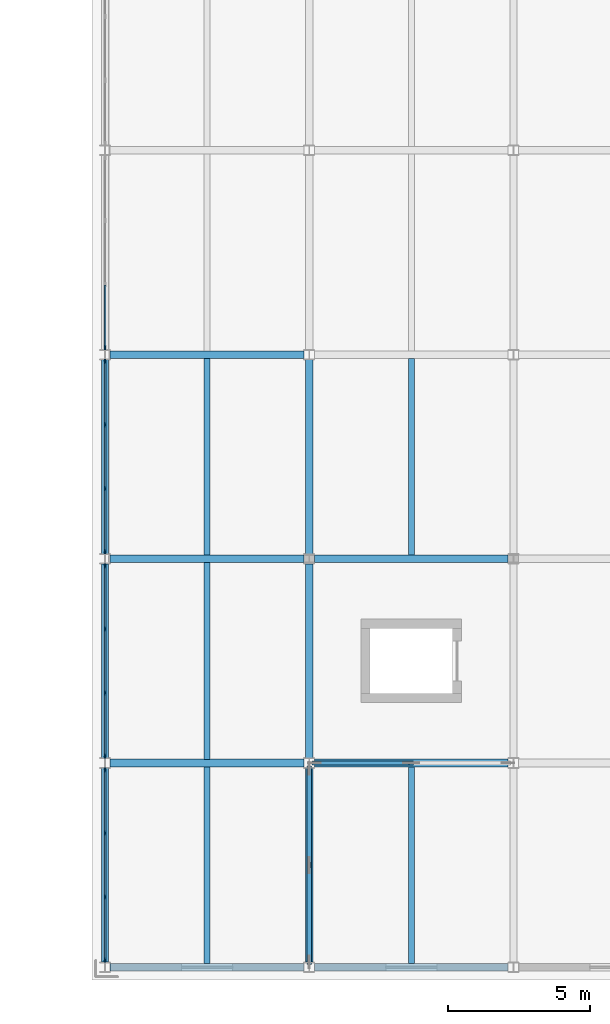
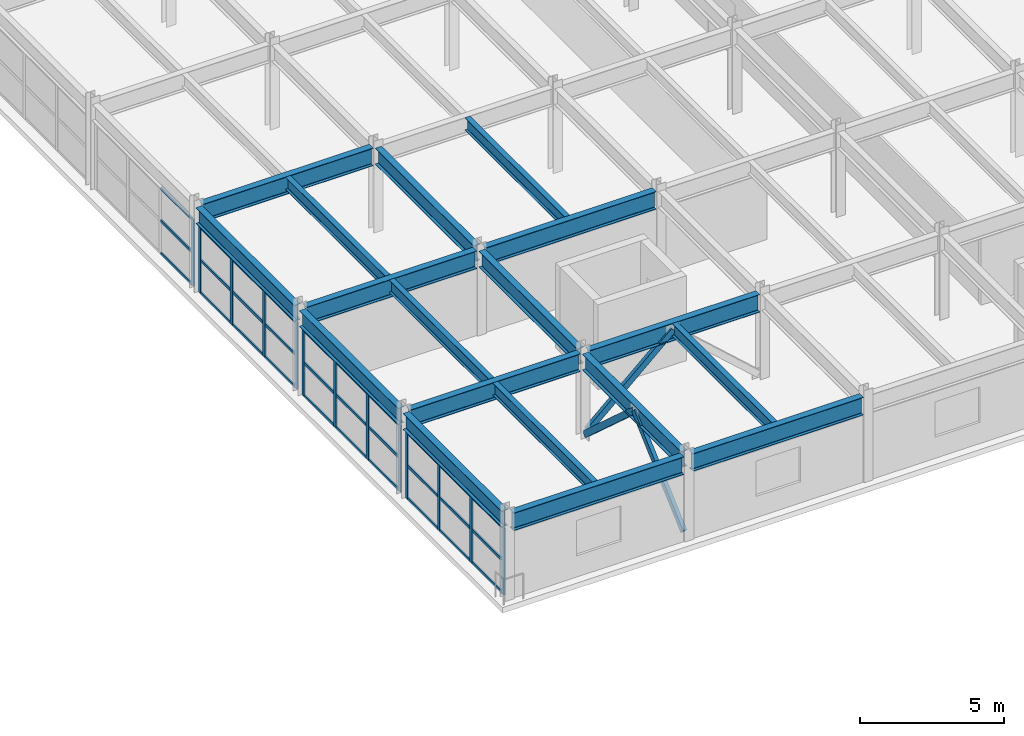
# One storey, part 23 of 80: 46 members, 18 beams, 4 elements without a shape of their own.
"""IFC4 building model written with IfcOpenShell, lengths in metres."""

from ifc_helpers import new_model, si_unit, direction, frame, origin, origin_2d, place, context, subcontext, project, spatial, rectangle, hollow_rectangle, i_section, extrude, material, material_profile, profile_set, type_object, element, aggregate, save


model = new_model("IFC4")

# Units and contexts
model_context = context("Model", 3, precision=1e-05, world=origin(), true_north=direction((0.0, 1.0)))
body_context = subcontext(model_context, "Body", "Model", "MODEL_VIEW")
ifc_project = project(units=[si_unit("LENGTHUNIT", "METRE"), si_unit("AREAUNIT", "SQUARE_METRE"), si_unit("VOLUMEUNIT", "CUBIC_METRE"), si_unit("PLANEANGLEUNIT", "RADIAN"), si_unit("MASSUNIT", "GRAM", prefix="KILO")], contexts=[model_context])

# Site, building, storey
site_placement = place(None, origin())
site = spatial("IfcSite", under=ifc_project, at=site_placement, CompositionType="ELEMENT")
building_placement = place(site_placement, origin())
building = spatial("IfcBuilding", under=site, at=building_placement, Name="Vaelcorin Mobility Hub", CompositionType="ELEMENT")
storey_placement = place(building_placement, frame((0.0, 0.0, 9.300048828125)))
storey = spatial("IfcBuildingStorey", under=building, at=storey_placement, Name="L02", CompositionType="ELEMENT", Elevation=9.300048828125)

# Beams
ifc_material_1 = material(Name="Steel ASTM A992 Grade 50", Category="steel")
ifc_material_profile_1 = material_profile(ifc_material_1, i_section(OverallWidth=0.2099609375, OverallDepth=0.532958984375, WebThickness=0.01025390625, FlangeThickness=0.015625, FilletRadius=0.013916015625, at=origin_2d()), Name="W21X62")
ifc_profile_set_1 = profile_set([ifc_material_profile_1], Name="Steel ASTM A992 Grade 50")
beam_type_1 = type_object("IfcBeamType", Name="BM-W21X62", PredefinedType="JOIST", material=ifc_profile_set_1)
for number, where, z_axis, x_axis, name in (
    (1, (157.199951171875, 6.132080078125, 3.333984375), (0.0, 1.0, 0.0), (-1.0, 0.0, 0.0), "L02 Beam V5-L02-J-01-01-1"),
    (2, (157.199951171875, 13.33203125, 3.333984375), (0.0, 1.0, 0.0), (-1.0, 0.0, 0.0), "L02 Beam V5-L02-J-01-02-1"),
):
    element("IfcBeam", number, at=place(storey_placement, frame(where, z_axis=z_axis, x_axis=x_axis)), inside=storey, type_object=beam_type_1, Name=name, PredefinedType="JOIST", context=body_context, shape_type="SweptSolid", body=[
        extrude(i_section(OverallWidth=0.2099609375, OverallDepth=0.532958984375, WebThickness=0.01025390625, FlangeThickness=0.015625, FilletRadius=0.013916015625, at=origin_2d()), origin(), (0.0, 0.0, 1.0), 6.93603515625),
    ])
beam_1_placement = place(storey_placement, frame((157.199951171875, 20.531005859375, 3.333984375), z_axis=(0.0, 1.0, 0.0), x_axis=(-1.0, 0.0, 0.0)))
element("IfcBeam", 3, at=beam_1_placement, inside=storey, type_object=beam_type_1, Name="L02 Beam V5-L02-J-01-03-1", PredefinedType="JOIST", context=body_context, shape_type="SweptSolid", body=[
    extrude(i_section(OverallWidth=0.2099609375, OverallDepth=0.532958984375, WebThickness=0.01025390625, FlangeThickness=0.015625, FilletRadius=0.013916015625, at=origin_2d()), origin(), (0.0, 0.0, 1.0), 6.93798828125),
])
beam_2_placement = place(storey_placement, frame((164.39990234375, 6.132080078125, 3.333984375), z_axis=(0.0, 1.0, 0.0), x_axis=(-1.0, 0.0, 0.0)))
element("IfcBeam", 4, at=beam_2_placement, inside=storey, type_object=beam_type_1, Name="L02 Beam V5-L02-J-02-01-1", PredefinedType="JOIST", context=body_context, shape_type="SweptSolid", body=[
    extrude(i_section(OverallWidth=0.2099609375, OverallDepth=0.532958984375, WebThickness=0.01025390625, FlangeThickness=0.015625, FilletRadius=0.013916015625, at=origin_2d()), origin(), (0.0, 0.0, 1.0), 6.93603515625),
])
beam_3_placement = place(storey_placement, frame((164.39990234375, 20.531005859375, 3.333984375), z_axis=(0.0, 1.0, 0.0), x_axis=(-1.0, 0.0, 0.0)))
element("IfcBeam", 5, at=beam_3_placement, inside=storey, type_object=beam_type_1, Name="L02 Beam V5-L02-J-02-03-1", PredefinedType="JOIST", context=body_context, shape_type="SweptSolid", body=[
    extrude(i_section(OverallWidth=0.2099609375, OverallDepth=0.532958984375, WebThickness=0.01025390625, FlangeThickness=0.015625, FilletRadius=0.013916015625, at=origin_2d()), origin(), (0.0, 0.0, 1.0), 6.93798828125),
])
ifc_material_profile_2 = material_profile(ifc_material_1, i_section(OverallWidth=0.25390625, OverallDepth=0.68310546875, WebThickness=0.012451171875, FlangeThickness=0.018798828125, FilletRadius=0.01611328125, at=origin_2d()), Name="W27X94")
ifc_profile_set_2 = profile_set([ifc_material_profile_2], Name="Steel ASTM A992 Grade 50")
beam_type_2 = type_object("IfcBeamType", Name="BM-W27X94", PredefinedType="BEAM", material=ifc_profile_set_2)
beam_4_placement = place(storey_placement, frame((153.60009765625, 6.176025390625, 3.258056640625), z_axis=(0.0, 1.0, 0.0), x_axis=(-1.0, 0.0, 0.0)))
element("IfcBeam", 6, at=beam_4_placement, inside=storey, type_object=beam_type_2, Name="L02 Beam V5-L02-GY-01-01", PredefinedType="BEAM", context=body_context, shape_type="SweptSolid", body=[
    extrude(i_section(OverallWidth=0.25390625, OverallDepth=0.68310546875, WebThickness=0.012451171875, FlangeThickness=0.018798828125, FilletRadius=0.01611328125, at=origin_2d()), origin(), (0.0, 0.0, 1.0), 6.847900390625),
])
for number, where, z_axis, x_axis, name in (
    (7, (153.60009765625, 13.3759765625, 3.258056640625), (0.0, 1.0, 0.0), (-1.0, 0.0, 0.0), "L02 Beam V5-L02-GY-01-02"),
    (8, (153.60009765625, 20.575927734375, 3.258056640625), (0.0, 1.0, 0.0), (-1.0, 0.0, 0.0), "L02 Beam V5-L02-GY-01-03"),
):
    element("IfcBeam", number, at=place(storey_placement, frame(where, z_axis=z_axis, x_axis=x_axis)), inside=storey, type_object=beam_type_2, Name=name, PredefinedType="BEAM", context=body_context, shape_type="SweptSolid", body=[
        extrude(i_section(OverallWidth=0.25390625, OverallDepth=0.68310546875, WebThickness=0.012451171875, FlangeThickness=0.018798828125, FilletRadius=0.01611328125, at=origin_2d()), origin(), (0.0, 0.0, 1.0), 6.84814453125),
    ])
beam_5_placement = place(storey_placement, frame((160.800048828125, 6.176025390625, 3.258056640625), z_axis=(0.0, 1.0, 0.0), x_axis=(-1.0, 0.0, 0.0)))
element("IfcBeam", 9, at=beam_5_placement, inside=storey, type_object=beam_type_2, Name="L02 Beam V5-L02-GY-02-01", PredefinedType="BEAM", context=body_context, shape_type="SweptSolid", body=[
    extrude(i_section(OverallWidth=0.25390625, OverallDepth=0.68310546875, WebThickness=0.012451171875, FlangeThickness=0.018798828125, FilletRadius=0.01611328125, at=origin_2d()), origin(), (0.0, 0.0, 1.0), 6.847900390625),
])
for number, where, z_axis, x_axis, name in (
    (10, (160.800048828125, 13.3759765625, 3.258056640625), (0.0, 1.0, 0.0), (-1.0, 0.0, 0.0), "L02 Beam V5-L02-GY-02-02"),
    (11, (160.800048828125, 20.575927734375, 3.258056640625), (0.0, 1.0, 0.0), (-1.0, 0.0, 0.0), "L02 Beam V5-L02-GY-02-03"),
):
    element("IfcBeam", number, at=place(storey_placement, frame(where, z_axis=z_axis, x_axis=x_axis)), inside=storey, type_object=beam_type_2, Name=name, PredefinedType="BEAM", context=body_context, shape_type="SweptSolid", body=[
        extrude(i_section(OverallWidth=0.25390625, OverallDepth=0.68310546875, WebThickness=0.012451171875, FlangeThickness=0.018798828125, FilletRadius=0.01611328125, at=origin_2d()), origin(), (0.0, 0.0, 1.0), 6.84814453125),
    ])
ifc_material_profile_3 = material_profile(ifc_material_1, i_section(OverallWidth=0.26708984375, OverallDepth=0.757080078125, WebThickness=0.013916015625, FlangeThickness=0.019287109375, FilletRadius=0.01708984375, at=origin_2d()), Name="W30X108")
ifc_profile_set_3 = profile_set([ifc_material_profile_3], Name="Steel ASTM A992 Grade 50")
beam_type_3 = type_object("IfcBeamType", Name="BM-W30X108", PredefinedType="BEAM", material=ifc_profile_set_3)
beam_6_placement = place(storey_placement, frame((153.781982421875, 6.0, 3.221923828125), z_axis=(1.0, 0.0, 0.0), x_axis=(0.0, 1.0, 0.0)))
element("IfcBeam", 12, at=beam_6_placement, inside=storey, type_object=beam_type_3, Name="L02 Beam V5-L02-GX-01-01", PredefinedType="BEAM", context=body_context, shape_type="SweptSolid", body=[
    extrude(i_section(OverallWidth=0.26708984375, OverallDepth=0.757080078125, WebThickness=0.013916015625, FlangeThickness=0.019287109375, FilletRadius=0.01708984375, at=origin_2d()), origin(), (0.0, 0.0, 1.0), 6.8359375),
])
beam_7_placement = place(storey_placement, frame((160.98193359375, 6.0, 3.221923828125), z_axis=(1.0, 0.0, 0.0), x_axis=(0.0, 1.0, 0.0)))
element("IfcBeam", 13, at=beam_7_placement, inside=storey, type_object=beam_type_3, Name="L02 Beam V5-L02-GX-01-02", PredefinedType="BEAM", context=body_context, shape_type="SweptSolid", body=[
    extrude(i_section(OverallWidth=0.26708984375, OverallDepth=0.757080078125, WebThickness=0.013916015625, FlangeThickness=0.019287109375, FilletRadius=0.01708984375, at=origin_2d()), origin(), (0.0, 0.0, 1.0), 6.836181640625),
])
beam_8_placement = place(storey_placement, frame((153.781982421875, 13.199951171875, 3.221923828125), z_axis=(1.0, 0.0, 0.0), x_axis=(0.0, 1.0, 0.0)))
element("IfcBeam", 14, at=beam_8_placement, inside=storey, type_object=beam_type_3, Name="L02 Beam V5-L02-GX-02-01", PredefinedType="BEAM", context=body_context, shape_type="SweptSolid", body=[
    extrude(i_section(OverallWidth=0.26708984375, OverallDepth=0.757080078125, WebThickness=0.013916015625, FlangeThickness=0.019287109375, FilletRadius=0.01708984375, at=origin_2d()), origin(), (0.0, 0.0, 1.0), 6.8359375),
])
beam_9_placement = place(storey_placement, frame((160.98193359375, 13.199951171875, 3.221923828125), z_axis=(1.0, 0.0, 0.0), x_axis=(0.0, 1.0, 0.0)))
element("IfcBeam", 15, at=beam_9_placement, inside=storey, type_object=beam_type_3, Name="L02 Beam V5-L02-GX-02-02", PredefinedType="BEAM", context=body_context, shape_type="SweptSolid", body=[
    extrude(i_section(OverallWidth=0.26708984375, OverallDepth=0.757080078125, WebThickness=0.013916015625, FlangeThickness=0.019287109375, FilletRadius=0.01708984375, at=origin_2d()), origin(), (0.0, 0.0, 1.0), 6.836181640625),
])
beam_10_placement = place(storey_placement, frame((153.781982421875, 20.39990234375, 3.221923828125), z_axis=(1.0, 0.0, 0.0), x_axis=(0.0, 1.0, 0.0)))
element("IfcBeam", 16, at=beam_10_placement, inside=storey, type_object=beam_type_3, Name="L02 Beam V5-L02-GX-03-01", PredefinedType="BEAM", context=body_context, shape_type="SweptSolid", body=[
    extrude(i_section(OverallWidth=0.26708984375, OverallDepth=0.757080078125, WebThickness=0.013916015625, FlangeThickness=0.019287109375, FilletRadius=0.01708984375, at=origin_2d()), origin(), (0.0, 0.0, 1.0), 6.8359375),
])
beam_11_placement = place(storey_placement, frame((160.98193359375, 20.39990234375, 3.221923828125), z_axis=(1.0, 0.0, 0.0), x_axis=(0.0, 1.0, 0.0)))
element("IfcBeam", 17, at=beam_11_placement, inside=storey, type_object=beam_type_3, Name="L02 Beam V5-L02-GX-03-02", PredefinedType="BEAM", context=body_context, shape_type="SweptSolid", body=[
    extrude(i_section(OverallWidth=0.26708984375, OverallDepth=0.757080078125, WebThickness=0.013916015625, FlangeThickness=0.019287109375, FilletRadius=0.01708984375, at=origin_2d()), origin(), (0.0, 0.0, 1.0), 6.836181640625),
])
beam_12_placement = place(storey_placement, frame((153.781982421875, 27.60009765625, 3.221923828125), z_axis=(1.0, 0.0, 0.0), x_axis=(0.0, 1.0, 0.0)))
element("IfcBeam", 18, at=beam_12_placement, inside=storey, type_object=beam_type_3, Name="L02 Beam V5-L02-GX-04-01", PredefinedType="BEAM", context=body_context, shape_type="SweptSolid", body=[
    extrude(i_section(OverallWidth=0.26708984375, OverallDepth=0.757080078125, WebThickness=0.013916015625, FlangeThickness=0.019287109375, FilletRadius=0.01708984375, at=origin_2d()), origin(), (0.0, 0.0, 1.0), 6.8359375),
])

# Members
ifc_material_2 = material(Name="Steel ASTM A500 Grade C", Category="steel")
ifc_material_profile_4 = material_profile(ifc_material_2, hollow_rectangle(XDim=0.15234375, YDim=0.25390625, WallThickness=0.01171875, at=origin_2d()), Name="HSS10X6X0.500")
ifc_profile_set_4 = profile_set([ifc_material_profile_4], Name="Steel ASTM A500 Grade C")
member_type_1 = type_object("IfcMemberType", Name="BR-SCBF-10X6", PredefinedType="BRACE", material=ifc_profile_set_4)
member_1_placement = place(storey_placement, frame((160.989990234375, 13.199951171875, 0.179931640625), z_axis=(0.743169783144, 0.0, 0.669102887022), x_axis=(0.0, 1.0, 0.0)))
element("IfcMember", 19, at=member_1_placement, inside=storey, type_object=member_type_1, Name="SCBF Chevron Brace V5-BX1-L02-A", PredefinedType="BRACE", context=body_context, shape_type="SweptSolid", body=[
    extrude(hollow_rectangle(XDim=0.15234375, YDim=0.25390625, WallThickness=0.01171875, at=origin_2d()), origin(), (0.0, 0.0, 1.0), 4.58837890625),
])
member_2_placement = place(storey_placement, frame((160.800048828125, 6.18994140625, 0.179931640625), z_axis=(0.0, 0.74319360332, 0.669076429106), x_axis=(-1.0, 0.0, 0.0)))
element("IfcMember", 20, at=member_2_placement, inside=storey, type_object=member_type_1, Name="SCBF Chevron Brace V5-BY1-L02-A", PredefinedType="BRACE", context=body_context, shape_type="SweptSolid", body=[
    extrude(hollow_rectangle(XDim=0.15234375, YDim=0.25390625, WallThickness=0.01171875, at=origin_2d()), origin(), (0.0, 0.0, 1.0), 4.588623046875),
])
member_3_placement = place(storey_placement, frame((160.800048828125, 13.010009765625, 0.179931640625), z_axis=(0.0, -0.743169783144, 0.669102887022), x_axis=(1.0, 0.0, 0.0)))
element("IfcMember", 21, at=member_3_placement, inside=storey, type_object=member_type_1, Name="SCBF Chevron Brace V5-BY1-L02-B", PredefinedType="BRACE", context=body_context, shape_type="SweptSolid", body=[
    extrude(hollow_rectangle(XDim=0.15234375, YDim=0.25390625, WallThickness=0.01171875, at=origin_2d()), origin(), (0.0, 0.0, 1.0), 4.58837890625),
])

# Curtain wall, members
ifc_material_3 = material(Name="Anodised aluminium 6063-T6", Category="aluminium")
curtain_wall_type = type_object("IfcCurtainWallType", Name="CW-MOB-A", PredefinedType="NOTDEFINED", material=ifc_material_3)
curtain_wall_1_placement = place(storey_placement, origin())
curtain_wall_1 = element("IfcCurtainWall", 22, at=curtain_wall_1_placement, inside=storey, type_object=curtain_wall_type, Name="L02 Curtain Wall CW-V5-L02-WS-01", PredefinedType="NOTDEFINED")
ifc_material_profile_5 = material_profile(ifc_material_3, rectangle(XDim=0.06005859375, YDim=0.159912109375, at=origin_2d()), Name="ALU-M60X160")
ifc_profile_set_5 = profile_set([ifc_material_profile_5], Name="Anodised aluminium 6063-T6")
member_type_2 = type_object("IfcMemberType", Name="CW-MULL-160", PredefinedType="MULLION", material=ifc_profile_set_5)
member_4_placement = place(storey_placement, frame((153.60009765625, 6.25, 0.0), z_axis=(0.0, 0.0, 1.0), x_axis=(-1.0, 0.0, 0.0)))
member_4 = element("IfcMember", 23, at=member_4_placement, type_object=member_type_2, Name="CW7 mullion 1", PredefinedType="MULLION", context=body_context, shape_type="SweptSolid", body=[
    extrude(rectangle(XDim=0.06005859375, YDim=0.159912109375, at=origin_2d()), origin(), (0.0, 0.0, 1.0), 2.827880859375),
])
member_5_placement = place(storey_placement, frame((153.60009765625, 8.473388671875, 0.0), z_axis=(0.0, 0.0, 1.0), x_axis=(-1.0, 0.0, 0.0)))
member_5 = element("IfcMember", 24, at=member_5_placement, type_object=member_type_2, Name="CW7 mullion 2", PredefinedType="MULLION", context=body_context, shape_type="SweptSolid", body=[
    extrude(rectangle(XDim=0.06005859375, YDim=0.159912109375, at=origin_2d()), origin(), (0.0, 0.0, 1.0), 2.827880859375),
])
member_6_placement = place(storey_placement, frame((153.60009765625, 10.7265625, 0.0), z_axis=(0.0, 0.0, 1.0), x_axis=(-1.0, 0.0, 0.0)))
member_6 = element("IfcMember", 25, at=member_6_placement, type_object=member_type_2, Name="CW7 mullion 3", PredefinedType="MULLION", context=body_context, shape_type="SweptSolid", body=[
    extrude(rectangle(XDim=0.06005859375, YDim=0.159912109375, at=origin_2d()), origin(), (0.0, 0.0, 1.0), 2.827880859375),
])
member_7_placement = place(storey_placement, frame((153.60009765625, 12.949951171875, 0.0), z_axis=(0.0, 0.0, 1.0), x_axis=(-1.0, 0.0, 0.0)))
member_7 = element("IfcMember", 26, at=member_7_placement, type_object=member_type_2, Name="CW7 mullion 4", PredefinedType="MULLION", context=body_context, shape_type="SweptSolid", body=[
    extrude(rectangle(XDim=0.06005859375, YDim=0.159912109375, at=origin_2d()), origin(), (0.0, 0.0, 1.0), 2.827880859375),
])

curtain_wall_2_placement = place(storey_placement, origin())
curtain_wall_2 = element("IfcCurtainWall", 27, at=curtain_wall_2_placement, inside=storey, type_object=curtain_wall_type, Name="L02 Curtain Wall CW-V5-L02-WS-02", PredefinedType="NOTDEFINED")
member_8_placement = place(storey_placement, frame((153.60009765625, 13.449951171875, 0.0), z_axis=(0.0, 0.0, 1.0), x_axis=(-1.0, 0.0, 0.0)))
member_8 = element("IfcMember", 28, at=member_8_placement, type_object=member_type_2, Name="CW7 mullion 1", PredefinedType="MULLION", context=body_context, shape_type="SweptSolid", body=[
    extrude(rectangle(XDim=0.06005859375, YDim=0.159912109375, at=origin_2d()), origin(), (0.0, 0.0, 1.0), 2.827880859375),
])
member_9_placement = place(storey_placement, frame((153.60009765625, 15.67333984375, 0.0), z_axis=(0.0, 0.0, 1.0), x_axis=(-1.0, 0.0, 0.0)))
member_9 = element("IfcMember", 29, at=member_9_placement, type_object=member_type_2, Name="CW7 mullion 2", PredefinedType="MULLION", context=body_context, shape_type="SweptSolid", body=[
    extrude(rectangle(XDim=0.06005859375, YDim=0.159912109375, at=origin_2d()), origin(), (0.0, 0.0, 1.0), 2.827880859375),
])
member_10_placement = place(storey_placement, frame((153.60009765625, 17.9267578125, 0.0), z_axis=(0.0, 0.0, 1.0), x_axis=(-1.0, 0.0, 0.0)))
member_10 = element("IfcMember", 30, at=member_10_placement, type_object=member_type_2, Name="CW7 mullion 3", PredefinedType="MULLION", context=body_context, shape_type="SweptSolid", body=[
    extrude(rectangle(XDim=0.06005859375, YDim=0.159912109375, at=origin_2d()), origin(), (0.0, 0.0, 1.0), 2.827880859375),
])
member_11_placement = place(storey_placement, frame((153.60009765625, 20.14990234375, 0.0), z_axis=(0.0, 0.0, 1.0), x_axis=(-1.0, 0.0, 0.0)))
member_11 = element("IfcMember", 31, at=member_11_placement, type_object=member_type_2, Name="CW7 mullion 4", PredefinedType="MULLION", context=body_context, shape_type="SweptSolid", body=[
    extrude(rectangle(XDim=0.06005859375, YDim=0.159912109375, at=origin_2d()), origin(), (0.0, 0.0, 1.0), 2.827880859375),
])

curtain_wall_3_placement = place(storey_placement, origin())
curtain_wall_3 = element("IfcCurtainWall", 32, at=curtain_wall_3_placement, inside=storey, type_object=curtain_wall_type, Name="L02 Curtain Wall CW-V5-L02-WS-03", PredefinedType="NOTDEFINED")
member_12_placement = place(storey_placement, frame((153.60009765625, 20.64990234375, 0.0), z_axis=(0.0, 0.0, 1.0), x_axis=(-1.0, 0.0, 0.0)))
member_12 = element("IfcMember", 33, at=member_12_placement, type_object=member_type_2, Name="CW7 mullion 1", PredefinedType="MULLION", context=body_context, shape_type="SweptSolid", body=[
    extrude(rectangle(XDim=0.06005859375, YDim=0.159912109375, at=origin_2d()), origin(), (0.0, 0.0, 1.0), 2.827880859375),
])
member_13_placement = place(storey_placement, frame((153.60009765625, 22.873291015625, 0.0), z_axis=(0.0, 0.0, 1.0), x_axis=(-1.0, 0.0, 0.0)))
member_13 = element("IfcMember", 34, at=member_13_placement, type_object=member_type_2, Name="CW7 mullion 2", PredefinedType="MULLION", context=body_context, shape_type="SweptSolid", body=[
    extrude(rectangle(XDim=0.06005859375, YDim=0.159912109375, at=origin_2d()), origin(), (0.0, 0.0, 1.0), 2.827880859375),
])
member_14_placement = place(storey_placement, frame((153.60009765625, 25.126708984375, 0.0), z_axis=(0.0, 0.0, 1.0), x_axis=(-1.0, 0.0, 0.0)))
member_14 = element("IfcMember", 35, at=member_14_placement, type_object=member_type_2, Name="CW7 mullion 3", PredefinedType="MULLION", context=body_context, shape_type="SweptSolid", body=[
    extrude(rectangle(XDim=0.06005859375, YDim=0.159912109375, at=origin_2d()), origin(), (0.0, 0.0, 1.0), 2.827880859375),
])
member_15_placement = place(storey_placement, frame((153.60009765625, 27.35009765625, 0.0), z_axis=(0.0, 0.0, 1.0), x_axis=(-1.0, 0.0, 0.0)))
member_15 = element("IfcMember", 36, at=member_15_placement, type_object=member_type_2, Name="CW7 mullion 4", PredefinedType="MULLION", context=body_context, shape_type="SweptSolid", body=[
    extrude(rectangle(XDim=0.06005859375, YDim=0.159912109375, at=origin_2d()), origin(), (0.0, 0.0, 1.0), 2.827880859375),
])

# Curtain wall, member
curtain_wall_4_placement = place(storey_placement, origin())
curtain_wall_4 = element("IfcCurtainWall", 37, at=curtain_wall_4_placement, inside=storey, type_object=curtain_wall_type, Name="L02 Curtain Wall CW-V5-L02-WS-04", PredefinedType="NOTDEFINED")
member_16_placement = place(storey_placement, frame((153.60009765625, 27.85009765625, 0.0), z_axis=(0.0, 0.0, 1.0), x_axis=(-1.0, 0.0, 0.0)))
member_16 = element("IfcMember", 38, at=member_16_placement, type_object=member_type_2, Name="CW7 mullion 1", PredefinedType="MULLION", context=body_context, shape_type="SweptSolid", body=[
    extrude(rectangle(XDim=0.06005859375, YDim=0.159912109375, at=origin_2d()), origin(), (0.0, 0.0, 1.0), 2.827880859375),
])

# Member
ifc_material_profile_6 = material_profile(ifc_material_3, rectangle(XDim=0.06005859375, YDim=0.1201171875, at=origin_2d()), Name="ALU-T60X120")
ifc_profile_set_6 = profile_set([ifc_material_profile_6], Name="Anodised aluminium 6063-T6")
member_type_3 = type_object("IfcMemberType", Name="CW-TRAN-140", PredefinedType="USERDEFINED", material=ifc_profile_set_6)
member_17_placement = place(storey_placement, frame((153.60009765625, 6.280029296875, 0.030029296875), z_axis=(0.0, 1.0, 0.0), x_axis=(-1.0, 0.0, 0.0)))
member_17 = element("IfcMember", 39, at=member_17_placement, type_object=member_type_3, Name="CW7 transom 1.1", ObjectType="TRANSOM", PredefinedType="USERDEFINED", context=body_context, shape_type="SweptSolid", body=[
    extrude(rectangle(XDim=0.06005859375, YDim=0.1201171875, at=origin_2d()), origin(), (0.0, 0.0, 1.0), 2.163330078125),
])

member_18_placement = place(storey_placement, frame((153.60009765625, 6.280029296875, 1.4140625), z_axis=(0.0, 1.0, 0.0), x_axis=(-1.0, 0.0, 0.0)))
member_18 = element("IfcMember", 40, at=member_18_placement, type_object=member_type_3, Name="CW7 transom 1.2", ObjectType="TRANSOM", PredefinedType="USERDEFINED", context=body_context, shape_type="SweptSolid", body=[
    extrude(rectangle(XDim=0.06005859375, YDim=0.1201171875, at=origin_2d()), origin(), (0.0, 0.0, 1.0), 2.163330078125),
])

member_19_placement = place(storey_placement, frame((153.60009765625, 6.280029296875, 2.7978515625), z_axis=(0.0, 1.0, 0.0), x_axis=(-1.0, 0.0, 0.0)))
member_19 = element("IfcMember", 41, at=member_19_placement, type_object=member_type_3, Name="CW7 transom 1.3", ObjectType="TRANSOM", PredefinedType="USERDEFINED", context=body_context, shape_type="SweptSolid", body=[
    extrude(rectangle(XDim=0.06005859375, YDim=0.1201171875, at=origin_2d()), origin(), (0.0, 0.0, 1.0), 2.163330078125),
])

member_20_placement = place(storey_placement, frame((153.60009765625, 8.50341796875, 0.030029296875), z_axis=(0.0, 1.0, 0.0), x_axis=(-1.0, 0.0, 0.0)))
member_20 = element("IfcMember", 42, at=member_20_placement, type_object=member_type_3, Name="CW7 transom 2.1", ObjectType="TRANSOM", PredefinedType="USERDEFINED", context=body_context, shape_type="SweptSolid", body=[
    extrude(rectangle(XDim=0.06005859375, YDim=0.1201171875, at=origin_2d()), origin(), (0.0, 0.0, 1.0), 2.193359375),
])

member_21_placement = place(storey_placement, frame((153.60009765625, 8.50341796875, 1.4140625), z_axis=(0.0, 1.0, 0.0), x_axis=(-1.0, 0.0, 0.0)))
member_21 = element("IfcMember", 43, at=member_21_placement, type_object=member_type_3, Name="CW7 transom 2.2", ObjectType="TRANSOM", PredefinedType="USERDEFINED", context=body_context, shape_type="SweptSolid", body=[
    extrude(rectangle(XDim=0.06005859375, YDim=0.1201171875, at=origin_2d()), origin(), (0.0, 0.0, 1.0), 2.193359375),
])

member_22_placement = place(storey_placement, frame((153.60009765625, 8.50341796875, 2.7978515625), z_axis=(0.0, 1.0, 0.0), x_axis=(-1.0, 0.0, 0.0)))
member_22 = element("IfcMember", 44, at=member_22_placement, type_object=member_type_3, Name="CW7 transom 2.3", ObjectType="TRANSOM", PredefinedType="USERDEFINED", context=body_context, shape_type="SweptSolid", body=[
    extrude(rectangle(XDim=0.06005859375, YDim=0.1201171875, at=origin_2d()), origin(), (0.0, 0.0, 1.0), 2.193359375),
])

member_23_placement = place(storey_placement, frame((153.60009765625, 10.756591796875, 0.030029296875), z_axis=(0.0, 1.0, 0.0), x_axis=(-1.0, 0.0, 0.0)))
member_23 = element("IfcMember", 45, at=member_23_placement, type_object=member_type_3, Name="CW7 transom 3.1", ObjectType="TRANSOM", PredefinedType="USERDEFINED", context=body_context, shape_type="SweptSolid", body=[
    extrude(rectangle(XDim=0.06005859375, YDim=0.1201171875, at=origin_2d()), origin(), (0.0, 0.0, 1.0), 2.163330078125),
])

member_24_placement = place(storey_placement, frame((153.60009765625, 10.756591796875, 1.4140625), z_axis=(0.0, 1.0, 0.0), x_axis=(-1.0, 0.0, 0.0)))
member_24 = element("IfcMember", 46, at=member_24_placement, type_object=member_type_3, Name="CW7 transom 3.2", ObjectType="TRANSOM", PredefinedType="USERDEFINED", context=body_context, shape_type="SweptSolid", body=[
    extrude(rectangle(XDim=0.06005859375, YDim=0.1201171875, at=origin_2d()), origin(), (0.0, 0.0, 1.0), 2.163330078125),
])

member_25_placement = place(storey_placement, frame((153.60009765625, 10.756591796875, 2.7978515625), z_axis=(0.0, 1.0, 0.0), x_axis=(-1.0, 0.0, 0.0)))
member_25 = element("IfcMember", 47, at=member_25_placement, type_object=member_type_3, Name="CW7 transom 3.3", ObjectType="TRANSOM", PredefinedType="USERDEFINED", context=body_context, shape_type="SweptSolid", body=[
    extrude(rectangle(XDim=0.06005859375, YDim=0.1201171875, at=origin_2d()), origin(), (0.0, 0.0, 1.0), 2.163330078125),
])

aggregate(curtain_wall_1, [member_4, member_5, member_6, member_7, member_17, member_18, member_19, member_20, member_21, member_22, member_23, member_24, member_25])

member_26_placement = place(storey_placement, frame((153.60009765625, 13.47998046875, 0.030029296875), z_axis=(0.0, 1.0, 0.0), x_axis=(-1.0, 0.0, 0.0)))
member_26 = element("IfcMember", 48, at=member_26_placement, type_object=member_type_3, Name="CW7 transom 1.1", ObjectType="TRANSOM", PredefinedType="USERDEFINED", context=body_context, shape_type="SweptSolid", body=[
    extrude(rectangle(XDim=0.06005859375, YDim=0.1201171875, at=origin_2d()), origin(), (0.0, 0.0, 1.0), 2.163330078125),
])

member_27_placement = place(storey_placement, frame((153.60009765625, 13.47998046875, 1.4140625), z_axis=(0.0, 1.0, 0.0), x_axis=(-1.0, 0.0, 0.0)))
member_27 = element("IfcMember", 49, at=member_27_placement, type_object=member_type_3, Name="CW7 transom 1.2", ObjectType="TRANSOM", PredefinedType="USERDEFINED", context=body_context, shape_type="SweptSolid", body=[
    extrude(rectangle(XDim=0.06005859375, YDim=0.1201171875, at=origin_2d()), origin(), (0.0, 0.0, 1.0), 2.163330078125),
])

member_28_placement = place(storey_placement, frame((153.60009765625, 13.47998046875, 2.7978515625), z_axis=(0.0, 1.0, 0.0), x_axis=(-1.0, 0.0, 0.0)))
member_28 = element("IfcMember", 50, at=member_28_placement, type_object=member_type_3, Name="CW7 transom 1.3", ObjectType="TRANSOM", PredefinedType="USERDEFINED", context=body_context, shape_type="SweptSolid", body=[
    extrude(rectangle(XDim=0.06005859375, YDim=0.1201171875, at=origin_2d()), origin(), (0.0, 0.0, 1.0), 2.163330078125),
])

member_29_placement = place(storey_placement, frame((153.60009765625, 15.703369140625, 0.030029296875), z_axis=(0.0, 1.0, 0.0), x_axis=(-1.0, 0.0, 0.0)))
member_29 = element("IfcMember", 51, at=member_29_placement, type_object=member_type_3, Name="CW7 transom 2.1", ObjectType="TRANSOM", PredefinedType="USERDEFINED", context=body_context, shape_type="SweptSolid", body=[
    extrude(rectangle(XDim=0.06005859375, YDim=0.1201171875, at=origin_2d()), origin(), (0.0, 0.0, 1.0), 2.193359375),
])

member_30_placement = place(storey_placement, frame((153.60009765625, 15.703369140625, 1.4140625), z_axis=(0.0, 1.0, 0.0), x_axis=(-1.0, 0.0, 0.0)))
member_30 = element("IfcMember", 52, at=member_30_placement, type_object=member_type_3, Name="CW7 transom 2.2", ObjectType="TRANSOM", PredefinedType="USERDEFINED", context=body_context, shape_type="SweptSolid", body=[
    extrude(rectangle(XDim=0.06005859375, YDim=0.1201171875, at=origin_2d()), origin(), (0.0, 0.0, 1.0), 2.193359375),
])

member_31_placement = place(storey_placement, frame((153.60009765625, 15.703369140625, 2.7978515625), z_axis=(0.0, 1.0, 0.0), x_axis=(-1.0, 0.0, 0.0)))
member_31 = element("IfcMember", 53, at=member_31_placement, type_object=member_type_3, Name="CW7 transom 2.3", ObjectType="TRANSOM", PredefinedType="USERDEFINED", context=body_context, shape_type="SweptSolid", body=[
    extrude(rectangle(XDim=0.06005859375, YDim=0.1201171875, at=origin_2d()), origin(), (0.0, 0.0, 1.0), 2.193359375),
])

member_32_placement = place(storey_placement, frame((153.60009765625, 17.956787109375, 0.030029296875), z_axis=(0.0, 1.0, 0.0), x_axis=(-1.0, 0.0, 0.0)))
member_32 = element("IfcMember", 54, at=member_32_placement, type_object=member_type_3, Name="CW7 transom 3.1", ObjectType="TRANSOM", PredefinedType="USERDEFINED", context=body_context, shape_type="SweptSolid", body=[
    extrude(rectangle(XDim=0.06005859375, YDim=0.1201171875, at=origin_2d()), origin(), (0.0, 0.0, 1.0), 2.163330078125),
])

member_33_placement = place(storey_placement, frame((153.60009765625, 17.956787109375, 1.4140625), z_axis=(0.0, 1.0, 0.0), x_axis=(-1.0, 0.0, 0.0)))
member_33 = element("IfcMember", 55, at=member_33_placement, type_object=member_type_3, Name="CW7 transom 3.2", ObjectType="TRANSOM", PredefinedType="USERDEFINED", context=body_context, shape_type="SweptSolid", body=[
    extrude(rectangle(XDim=0.06005859375, YDim=0.1201171875, at=origin_2d()), origin(), (0.0, 0.0, 1.0), 2.163330078125),
])

member_34_placement = place(storey_placement, frame((153.60009765625, 17.956787109375, 2.7978515625), z_axis=(0.0, 1.0, 0.0), x_axis=(-1.0, 0.0, 0.0)))
member_34 = element("IfcMember", 56, at=member_34_placement, type_object=member_type_3, Name="CW7 transom 3.3", ObjectType="TRANSOM", PredefinedType="USERDEFINED", context=body_context, shape_type="SweptSolid", body=[
    extrude(rectangle(XDim=0.06005859375, YDim=0.1201171875, at=origin_2d()), origin(), (0.0, 0.0, 1.0), 2.163330078125),
])

aggregate(curtain_wall_2, [member_8, member_9, member_10, member_11, member_26, member_27, member_28, member_29, member_30, member_31, member_32, member_33, member_34])

member_35_placement = place(storey_placement, frame((153.60009765625, 20.679931640625, 0.030029296875), z_axis=(0.0, 1.0, 0.0), x_axis=(-1.0, 0.0, 0.0)))
member_35 = element("IfcMember", 57, at=member_35_placement, type_object=member_type_3, Name="CW7 transom 1.1", ObjectType="TRANSOM", PredefinedType="USERDEFINED", context=body_context, shape_type="SweptSolid", body=[
    extrude(rectangle(XDim=0.06005859375, YDim=0.1201171875, at=origin_2d()), origin(), (0.0, 0.0, 1.0), 2.163330078125),
])

member_36_placement = place(storey_placement, frame((153.60009765625, 20.679931640625, 1.4140625), z_axis=(0.0, 1.0, 0.0), x_axis=(-1.0, 0.0, 0.0)))
member_36 = element("IfcMember", 58, at=member_36_placement, type_object=member_type_3, Name="CW7 transom 1.2", ObjectType="TRANSOM", PredefinedType="USERDEFINED", context=body_context, shape_type="SweptSolid", body=[
    extrude(rectangle(XDim=0.06005859375, YDim=0.1201171875, at=origin_2d()), origin(), (0.0, 0.0, 1.0), 2.163330078125),
])

member_37_placement = place(storey_placement, frame((153.60009765625, 20.679931640625, 2.7978515625), z_axis=(0.0, 1.0, 0.0), x_axis=(-1.0, 0.0, 0.0)))
member_37 = element("IfcMember", 59, at=member_37_placement, type_object=member_type_3, Name="CW7 transom 1.3", ObjectType="TRANSOM", PredefinedType="USERDEFINED", context=body_context, shape_type="SweptSolid", body=[
    extrude(rectangle(XDim=0.06005859375, YDim=0.1201171875, at=origin_2d()), origin(), (0.0, 0.0, 1.0), 2.163330078125),
])

member_38_placement = place(storey_placement, frame((153.60009765625, 22.9033203125, 0.030029296875), z_axis=(0.0, 1.0, 0.0), x_axis=(-1.0, 0.0, 0.0)))
member_38 = element("IfcMember", 60, at=member_38_placement, type_object=member_type_3, Name="CW7 transom 2.1", ObjectType="TRANSOM", PredefinedType="USERDEFINED", context=body_context, shape_type="SweptSolid", body=[
    extrude(rectangle(XDim=0.06005859375, YDim=0.1201171875, at=origin_2d()), origin(), (0.0, 0.0, 1.0), 2.193359375),
])

member_39_placement = place(storey_placement, frame((153.60009765625, 22.9033203125, 1.4140625), z_axis=(0.0, 1.0, 0.0), x_axis=(-1.0, 0.0, 0.0)))
member_39 = element("IfcMember", 61, at=member_39_placement, type_object=member_type_3, Name="CW7 transom 2.2", ObjectType="TRANSOM", PredefinedType="USERDEFINED", context=body_context, shape_type="SweptSolid", body=[
    extrude(rectangle(XDim=0.06005859375, YDim=0.1201171875, at=origin_2d()), origin(), (0.0, 0.0, 1.0), 2.193359375),
])

member_40_placement = place(storey_placement, frame((153.60009765625, 22.9033203125, 2.7978515625), z_axis=(0.0, 1.0, 0.0), x_axis=(-1.0, 0.0, 0.0)))
member_40 = element("IfcMember", 62, at=member_40_placement, type_object=member_type_3, Name="CW7 transom 2.3", ObjectType="TRANSOM", PredefinedType="USERDEFINED", context=body_context, shape_type="SweptSolid", body=[
    extrude(rectangle(XDim=0.06005859375, YDim=0.1201171875, at=origin_2d()), origin(), (0.0, 0.0, 1.0), 2.193359375),
])

member_41_placement = place(storey_placement, frame((153.60009765625, 25.15673828125, 0.030029296875), z_axis=(0.0, 1.0, 0.0), x_axis=(-1.0, 0.0, 0.0)))
member_41 = element("IfcMember", 63, at=member_41_placement, type_object=member_type_3, Name="CW7 transom 3.1", ObjectType="TRANSOM", PredefinedType="USERDEFINED", context=body_context, shape_type="SweptSolid", body=[
    extrude(rectangle(XDim=0.06005859375, YDim=0.1201171875, at=origin_2d()), origin(), (0.0, 0.0, 1.0), 2.163330078125),
])

member_42_placement = place(storey_placement, frame((153.60009765625, 25.15673828125, 1.4140625), z_axis=(0.0, 1.0, 0.0), x_axis=(-1.0, 0.0, 0.0)))
member_42 = element("IfcMember", 64, at=member_42_placement, type_object=member_type_3, Name="CW7 transom 3.2", ObjectType="TRANSOM", PredefinedType="USERDEFINED", context=body_context, shape_type="SweptSolid", body=[
    extrude(rectangle(XDim=0.06005859375, YDim=0.1201171875, at=origin_2d()), origin(), (0.0, 0.0, 1.0), 2.163330078125),
])

member_43_placement = place(storey_placement, frame((153.60009765625, 25.15673828125, 2.7978515625), z_axis=(0.0, 1.0, 0.0), x_axis=(-1.0, 0.0, 0.0)))
member_43 = element("IfcMember", 65, at=member_43_placement, type_object=member_type_3, Name="CW7 transom 3.3", ObjectType="TRANSOM", PredefinedType="USERDEFINED", context=body_context, shape_type="SweptSolid", body=[
    extrude(rectangle(XDim=0.06005859375, YDim=0.1201171875, at=origin_2d()), origin(), (0.0, 0.0, 1.0), 2.163330078125),
])

aggregate(curtain_wall_3, [member_12, member_13, member_14, member_15, member_35, member_36, member_37, member_38, member_39, member_40, member_41, member_42, member_43])

member_44_placement = place(storey_placement, frame((153.60009765625, 27.8798828125, 0.030029296875), z_axis=(0.0, 1.0, 0.0), x_axis=(-1.0, 0.0, 0.0)))
member_44 = element("IfcMember", 66, at=member_44_placement, type_object=member_type_3, Name="CW7 transom 1.1", ObjectType="TRANSOM", PredefinedType="USERDEFINED", context=body_context, shape_type="SweptSolid", body=[
    extrude(rectangle(XDim=0.06005859375, YDim=0.1201171875, at=origin_2d()), origin(), (0.0, 0.0, 1.0), 2.163330078125),
])

member_45_placement = place(storey_placement, frame((153.60009765625, 27.8798828125, 1.4140625), z_axis=(0.0, 1.0, 0.0), x_axis=(-1.0, 0.0, 0.0)))
member_45 = element("IfcMember", 67, at=member_45_placement, type_object=member_type_3, Name="CW7 transom 1.2", ObjectType="TRANSOM", PredefinedType="USERDEFINED", context=body_context, shape_type="SweptSolid", body=[
    extrude(rectangle(XDim=0.06005859375, YDim=0.1201171875, at=origin_2d()), origin(), (0.0, 0.0, 1.0), 2.163330078125),
])

member_46_placement = place(storey_placement, frame((153.60009765625, 27.8798828125, 2.7978515625), z_axis=(0.0, 1.0, 0.0), x_axis=(-1.0, 0.0, 0.0)))
member_46 = element("IfcMember", 68, at=member_46_placement, type_object=member_type_3, Name="CW7 transom 1.3", ObjectType="TRANSOM", PredefinedType="USERDEFINED", context=body_context, shape_type="SweptSolid", body=[
    extrude(rectangle(XDim=0.06005859375, YDim=0.1201171875, at=origin_2d()), origin(), (0.0, 0.0, 1.0), 2.163330078125),
])

aggregate(curtain_wall_4, [member_16, member_44, member_45, member_46])

save(model, "model.ifc")
